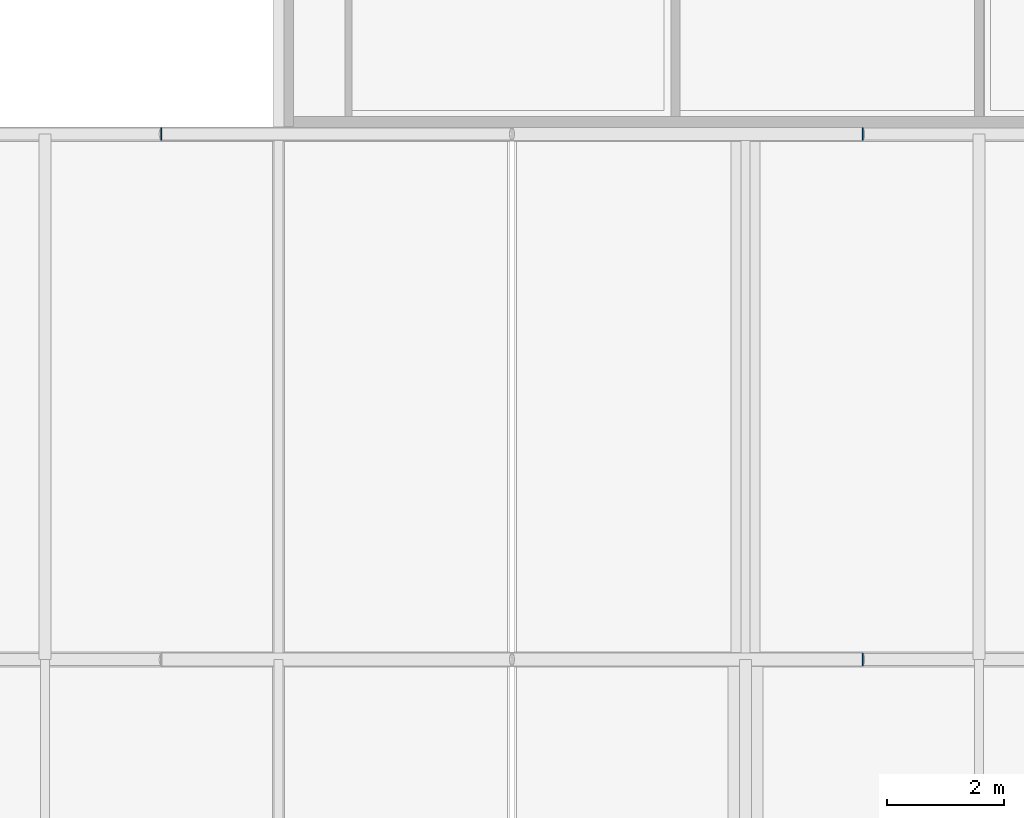
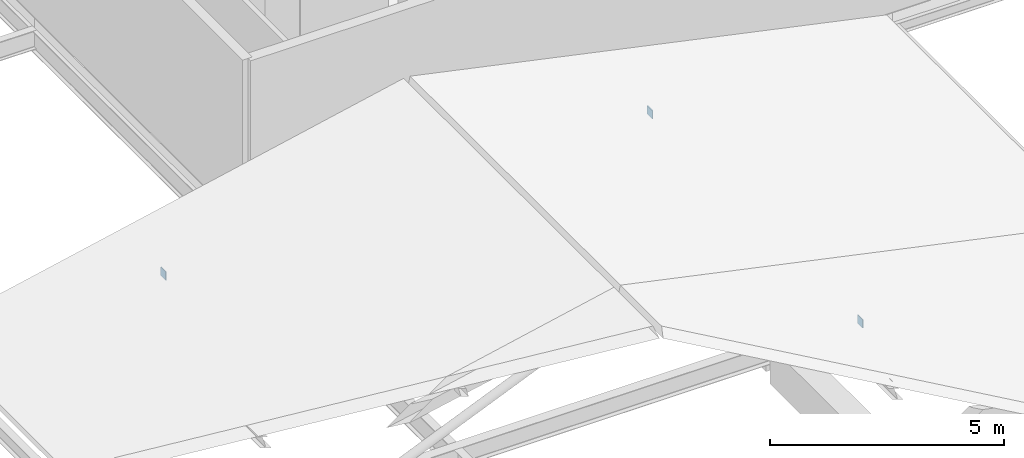
# One storey, part 26 of 38: 3 plates.
"""IFC4 building model written with IfcOpenShell, lengths in metres."""

from ifc_helpers import new_model, si_unit, derived_unit, direction, frame, origin, origin_2d, place, context, subcontext, project, spatial, rectangle, extrude, material, layer, layer_set, type_object, element, save


model = new_model("IFC4")

# Units and contexts
model_context = context("Model", 3, precision=1e-05, world=origin(), true_north=direction((0.0, 1.0)))
body_context = subcontext(model_context, "Body", "Model", "MODEL_VIEW")
ifc_project = project(units=[si_unit("LENGTHUNIT", "METRE"), si_unit("AREAUNIT", "SQUARE_METRE"), si_unit("VOLUMEUNIT", "CUBIC_METRE"), si_unit("PLANEANGLEUNIT", "RADIAN"), si_unit("MASSUNIT", "GRAM", prefix="KILO"), derived_unit("THERMALTRANSMITTANCEUNIT", [(si_unit("POWERUNIT", "WATT"), 1), (si_unit("LENGTHUNIT", "METRE"), -2), (si_unit("THERMODYNAMICTEMPERATUREUNIT", "KELVIN"), -1)])], contexts=[model_context])

# Site, building, storey
site_placement = place(None, origin())
site = spatial("IfcSite", under=ifc_project, at=site_placement, CompositionType="ELEMENT")
building_placement = place(site_placement, origin())
building = spatial("IfcBuilding", under=site, at=building_placement, Name="Nallur Shell Playhouse", CompositionType="ELEMENT")
storey_placement = place(building_placement, frame((0.0, 0.0, 24.300048828125)))
storey = spatial("IfcBuildingStorey", under=building, at=storey_placement, Name="L06", CompositionType="ELEMENT", Elevation=24.300048828125)

# Plates
ifc_material = material(Name="Steel E350", Category="steel")
ifc_layer = layer(ifc_material, 0.02001953125)
ifc_layer_set = layer_set([ifc_layer], Name="Steel E350")
plate_type = type_object("IfcPlateType", Name="PT-ENDCAP-20", PredefinedType="SHEET", material=ifc_layer_set)
for number, where, z_axis, x_axis, name in (
    (1, (34.010009765625, 56.0, -0.61083984375), (0.0, 0.0, 1.0), (1.0, 0.0, 0.0), "Hollow end cap EC-TRBB-56-2"),
    (2, (21.990966796875, 65.0, -0.61474609375), (0.0, 0.0, 1.0), (1.0, 0.0, 0.0), "Hollow end cap EC-TRBB-65-1"),
    (3, (34.010009765625, 65.0, -0.61083984375), (0.0, 0.0, 1.0), (1.0, 0.0, 0.0), "Hollow end cap EC-TRBB-65-2"),
):
    element("IfcPlate", number, at=place(storey_placement, frame(where, z_axis=z_axis, x_axis=x_axis)), inside=storey, type_object=plate_type, Name=name, PredefinedType="SHEET", context=body_context, shape_type="SweptSolid", body=[
        extrude(rectangle(XDim=0.02001953125, YDim=0.219970703125, at=origin_2d()), origin(), (0.0, 0.0, 1.0), 0.219970703125),
    ])

save(model, "model.ifc")
